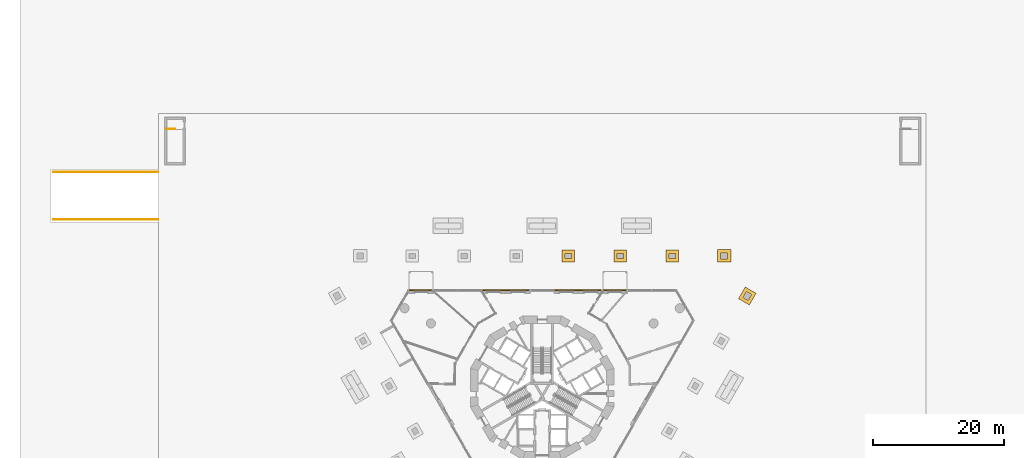
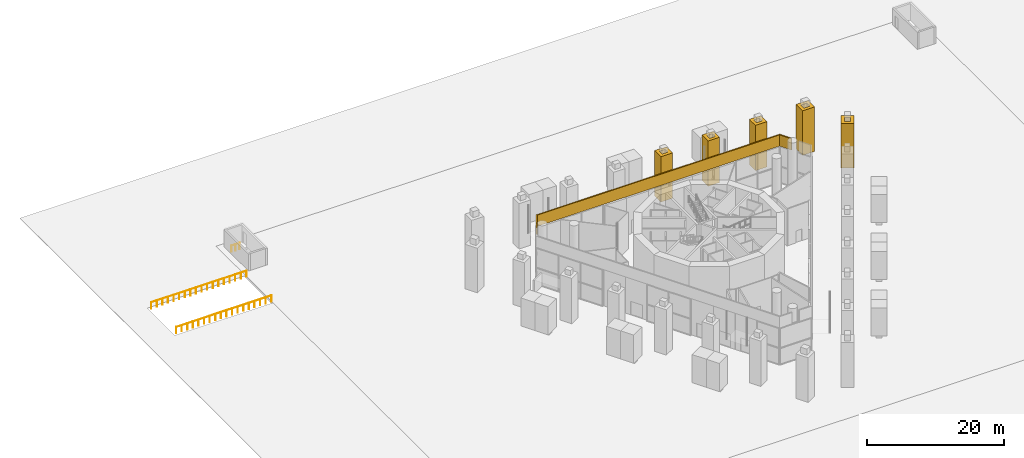
# One storey, part 24 of 26: 6 coverings, 3 railings.
"""IFC4 building model written with IfcOpenShell, lengths in metres."""

from ifc_helpers import new_model, si_unit, direction, frame, origin, origin_2d, place, context, subcontext, project, spatial, polyline, circle, outline, extrude, material, layer, layer_set, type_object, element, save


model = new_model("IFC4")

# Units and contexts
model_context = context("Model", 3, precision=1e-05, world=origin(), true_north=direction((0.0, 1.0)))
body_context = subcontext(model_context, "Body", "Model", "MODEL_VIEW")
ifc_project = project(units=[si_unit("LENGTHUNIT", "METRE"), si_unit("AREAUNIT", "SQUARE_METRE"), si_unit("VOLUMEUNIT", "CUBIC_METRE"), si_unit("PLANEANGLEUNIT", "RADIAN"), si_unit("MASSUNIT", "GRAM", prefix="KILO")], contexts=[model_context])

# Site, building, storey
site_placement = place(None, origin())
site = spatial("IfcSite", under=ifc_project, at=site_placement, CompositionType="ELEMENT")
building_placement = place(site_placement, origin())
building = spatial("IfcBuilding", under=site, at=building_placement, Name="Trine Commons Tower", CompositionType="ELEMENT")
storey_placement = place(building_placement, origin())
storey = spatial("IfcBuildingStorey", under=building, at=storey_placement, Name="L00", CompositionType="ELEMENT", Elevation=0.0)

# Coverings
ifc_material_1 = material(Name="Limestone, honed", Category="masonry")
ifc_layer_1 = layer(ifc_material_1, 0.5)
ifc_layer_set_1 = layer_set([ifc_layer_1], Name="Limestone, honed")
covering_type_1 = type_object("IfcCoveringType", Name="Limestone pier cladding 500", PredefinedType="CLADDING", material=ifc_layer_set_1)
covering_1_placement = place(storey_placement, origin())
element("IfcCovering", 1, at=covering_1_placement, inside=storey, type_object=covering_type_1, Name="Limestone stilt pier cladding 14", PredefinedType="CLADDING", context=body_context, shape_type="SweptSolid", body=[
    extrude(outline(polyline([(84.956787109375, 81.78466796875), (84.956787109375, 83.584716796875), (83.006591796875, 83.584716796875), (83.006591796875, 81.78466796875), (84.956787109375, 81.78466796875)]), holes=[polyline([(84.456787109375, 82.28466796875), (84.456787109375, 83.084716796875), (83.506591796875, 83.084716796875), (83.506591796875, 82.28466796875), (84.456787109375, 82.28466796875)])]), origin(), (0.0, 0.0, 1.0), 8.080078125),
])
covering_2_placement = place(storey_placement, origin())
element("IfcCovering", 2, at=covering_2_placement, inside=storey, type_object=covering_type_1, Name="Limestone stilt pier cladding 17", PredefinedType="CLADDING", context=body_context, shape_type="SweptSolid", body=[
    extrude(outline(polyline([(92.920166015625, 81.78466796875), (92.920166015625, 83.584716796875), (90.97021484375, 83.584716796875), (90.97021484375, 81.78466796875), (92.920166015625, 81.78466796875)]), holes=[polyline([(92.420166015625, 82.28466796875), (92.420166015625, 83.084716796875), (91.47021484375, 83.084716796875), (91.47021484375, 82.28466796875), (92.420166015625, 82.28466796875)])]), origin(), (0.0, 0.0, 1.0), 8.080078125),
])
covering_3_placement = place(storey_placement, origin())
element("IfcCovering", 3, at=covering_3_placement, inside=storey, type_object=covering_type_1, Name="Limestone stilt pier cladding 20", PredefinedType="CLADDING", context=body_context, shape_type="SweptSolid", body=[
    extrude(outline(polyline([(100.88330078125, 81.78466796875), (100.88330078125, 83.584716796875), (98.933349609375, 83.584716796875), (98.933349609375, 81.78466796875), (100.88330078125, 81.78466796875)]), holes=[polyline([(100.38330078125, 82.28466796875), (100.38330078125, 83.084716796875), (99.433349609375, 83.084716796875), (99.433349609375, 82.28466796875), (100.38330078125, 82.28466796875)])]), origin(), (0.0, 0.0, 1.0), 8.080078125),
])
covering_4_placement = place(storey_placement, origin())
element("IfcCovering", 4, at=covering_4_placement, inside=storey, type_object=covering_type_1, Name="Limestone stilt pier cladding 23", PredefinedType="CLADDING", context=body_context, shape_type="SweptSolid", body=[
    extrude(outline(polyline([(108.896728515625, 81.734619140625), (108.896728515625, 83.634521484375), (106.8466796875, 83.634521484375), (106.8466796875, 81.734619140625), (108.896728515625, 81.734619140625)]), holes=[polyline([(108.396728515625, 82.234619140625), (108.396728515625, 83.134521484375), (107.3466796875, 83.134521484375), (107.3466796875, 82.234619140625), (108.396728515625, 82.234619140625)])]), origin(), (0.0, 0.0, 1.0), 7.929931640625),
])
covering_5_placement = place(storey_placement, origin())
element("IfcCovering", 5, at=covering_5_placement, inside=storey, type_object=covering_type_1, Name="Limestone stilt pier cladding 24", PredefinedType="CLADDING", context=body_context, shape_type="SweptSolid", body=[
    extrude(outline(polyline([(112.75146484375, 76.9580078125), (111.106201171875, 77.908203125), (110.0810546875, 76.1328125), (111.7265625, 75.1826171875), (112.75146484375, 76.9580078125)]), holes=[polyline([(112.068603515625, 76.775146484375), (111.2890625, 77.22509765625), (110.76416015625, 76.315673828125), (111.54345703125, 75.86572265625), (112.068603515625, 76.775146484375)])]), origin(), (0.0, 0.0, 1.0), 7.929931640625),
])
ifc_material_2 = material(Name="Anodised aluminium cladding, bronze finish", Category="aluminium")
ifc_layer_2 = layer(ifc_material_2, 0.199951171875)
ifc_layer_set_2 = layer_set([ifc_layer_2], Name="Anodised aluminium cladding, bronze finish")
covering_type_2 = type_object("IfcCoveringType", Name="Pavilion fascia panel 200", PredefinedType="CLADDING", material=ifc_layer_set_2)
covering_6_placement = place(storey_placement, frame((0.0, 0.0, 6.60009765625)))
element("IfcCovering", 6, at=covering_6_placement, inside=storey, type_object=covering_type_2, Name="Pavilion fascia 2", PredefinedType="CLADDING", context=body_context, shape_type="SweptSolid", body=[
    extrude(outline(polyline([(100.527099609375, 77.484619140625), (59.472900390625, 77.484619140625), (58.431884765625, 75.68115234375), (58.569091796875, 75.51904296875), (59.58837890625, 77.28466796875), (100.41162109375, 77.28466796875), (101.430908203125, 75.51904296875), (101.568115234375, 75.68115234375), (100.527099609375, 77.484619140625)])), origin(), (0.0, 0.0, 1.0), 2.0),
])

# Railings
ifc_material_3 = material(Name="Structural steel ASTM A500 Gr C", Category="steel")
railing_type = type_object("IfcRailingType", Name="Steel guard 1120 mm, ASTM A500 Gr C", PredefinedType="GUARDRAIL", material=ifc_material_3)
railing_1_placement = place(storey_placement, frame((5.10009765625, 88.27001953125, 0.0)))
element("IfcRailing", 7, at=railing_1_placement, inside=storey, type_object=railing_type, Name="R1 cutting guard W", PredefinedType="GUARDRAIL", context=body_context, shape_type="SweptSolid", body=[
    extrude(circle(Radius=0.02392578125, at=origin_2d()), frame((0.0, 0.0, 1.09619140625), z_axis=(1.0, 0.0, 0.0), x_axis=(0.0, 1.0, 0.0)), (0.0, 0.0, 1.0), 16.0498046875),
    extrude(circle(Radius=0.02099609375, at=origin_2d()), origin(), (0.0, 0.0, 1.0), 1.072021484375),
    extrude(circle(Radius=0.02099609375, at=origin_2d()), frame((0.944091796875, 0.0, 0.0)), (0.0, 0.0, 1.0), 1.072021484375),
    extrude(circle(Radius=0.02099609375, at=origin_2d()), frame((1.88818359375, 0.0, 0.0)), (0.0, 0.0, 1.0), 1.072021484375),
    extrude(circle(Radius=0.02099609375, at=origin_2d()), frame((2.832275390625, 0.0, 0.0)), (0.0, 0.0, 1.0), 1.072021484375),
    extrude(circle(Radius=0.02099609375, at=origin_2d()), frame((3.7763671875, 0.0, 0.0)), (0.0, 0.0, 1.0), 1.072021484375),
    extrude(circle(Radius=0.02099609375, at=origin_2d()), frame((4.720458984375, 0.0, 0.0)), (0.0, 0.0, 1.0), 1.072021484375),
    extrude(circle(Radius=0.02099609375, at=origin_2d()), frame((5.66455078125, 0.0, 0.0)), (0.0, 0.0, 1.0), 1.072021484375),
    extrude(circle(Radius=0.02099609375, at=origin_2d()), frame((6.608642578125, 0.0, 0.0)), (0.0, 0.0, 1.0), 1.072021484375),
    extrude(circle(Radius=0.02099609375, at=origin_2d()), frame((7.552734375, 0.0, 0.0)), (0.0, 0.0, 1.0), 1.072021484375),
    extrude(circle(Radius=0.02099609375, at=origin_2d()), frame((8.4970703125, 0.0, 0.0)), (0.0, 0.0, 1.0), 1.072021484375),
    extrude(circle(Radius=0.02099609375, at=origin_2d()), frame((9.441162109375, 0.0, 0.0)), (0.0, 0.0, 1.0), 1.072021484375),
    extrude(circle(Radius=0.02099609375, at=origin_2d()), frame((10.38525390625, 0.0, 0.0)), (0.0, 0.0, 1.0), 1.072021484375),
    extrude(circle(Radius=0.02099609375, at=origin_2d()), frame((11.329345703125, 0.0, 0.0)), (0.0, 0.0, 1.0), 1.072021484375),
    extrude(circle(Radius=0.02099609375, at=origin_2d()), frame((12.2734375, 0.0, 0.0)), (0.0, 0.0, 1.0), 1.072021484375),
    extrude(circle(Radius=0.02099609375, at=origin_2d()), frame((13.217529296875, 0.0, 0.0)), (0.0, 0.0, 1.0), 1.072021484375),
    extrude(circle(Radius=0.02099609375, at=origin_2d()), frame((14.16162109375, 0.0, 0.0)), (0.0, 0.0, 1.0), 1.072021484375),
    extrude(circle(Radius=0.02099609375, at=origin_2d()), frame((15.105712890625, 0.0, 0.0)), (0.0, 0.0, 1.0), 1.072021484375),
    extrude(circle(Radius=0.02099609375, at=origin_2d()), frame((16.0498046875, 0.0, 0.0)), (0.0, 0.0, 1.0), 1.072021484375),
])
railing_2_placement = place(storey_placement, frame((5.10009765625, 95.530029296875, 0.0)))
element("IfcRailing", 8, at=railing_2_placement, inside=storey, type_object=railing_type, Name="R1 cutting guard E", PredefinedType="GUARDRAIL", context=body_context, shape_type="SweptSolid", body=[
    extrude(circle(Radius=0.02392578125, at=origin_2d()), frame((0.0, 0.0, 1.09619140625), z_axis=(1.0, 0.0, 0.0), x_axis=(0.0, 1.0, 0.0)), (0.0, 0.0, 1.0), 16.0498046875),
    extrude(circle(Radius=0.02099609375, at=origin_2d()), origin(), (0.0, 0.0, 1.0), 1.072021484375),
    extrude(circle(Radius=0.02099609375, at=origin_2d()), frame((0.944091796875, 0.0, 0.0)), (0.0, 0.0, 1.0), 1.072021484375),
    extrude(circle(Radius=0.02099609375, at=origin_2d()), frame((1.88818359375, 0.0, 0.0)), (0.0, 0.0, 1.0), 1.072021484375),
    extrude(circle(Radius=0.02099609375, at=origin_2d()), frame((2.832275390625, 0.0, 0.0)), (0.0, 0.0, 1.0), 1.072021484375),
    extrude(circle(Radius=0.02099609375, at=origin_2d()), frame((3.7763671875, 0.0, 0.0)), (0.0, 0.0, 1.0), 1.072021484375),
    extrude(circle(Radius=0.02099609375, at=origin_2d()), frame((4.720458984375, 0.0, 0.0)), (0.0, 0.0, 1.0), 1.072021484375),
    extrude(circle(Radius=0.02099609375, at=origin_2d()), frame((5.66455078125, 0.0, 0.0)), (0.0, 0.0, 1.0), 1.072021484375),
    extrude(circle(Radius=0.02099609375, at=origin_2d()), frame((6.608642578125, 0.0, 0.0)), (0.0, 0.0, 1.0), 1.072021484375),
    extrude(circle(Radius=0.02099609375, at=origin_2d()), frame((7.552734375, 0.0, 0.0)), (0.0, 0.0, 1.0), 1.072021484375),
    extrude(circle(Radius=0.02099609375, at=origin_2d()), frame((8.4970703125, 0.0, 0.0)), (0.0, 0.0, 1.0), 1.072021484375),
    extrude(circle(Radius=0.02099609375, at=origin_2d()), frame((9.441162109375, 0.0, 0.0)), (0.0, 0.0, 1.0), 1.072021484375),
    extrude(circle(Radius=0.02099609375, at=origin_2d()), frame((10.38525390625, 0.0, 0.0)), (0.0, 0.0, 1.0), 1.072021484375),
    extrude(circle(Radius=0.02099609375, at=origin_2d()), frame((11.329345703125, 0.0, 0.0)), (0.0, 0.0, 1.0), 1.072021484375),
    extrude(circle(Radius=0.02099609375, at=origin_2d()), frame((12.2734375, 0.0, 0.0)), (0.0, 0.0, 1.0), 1.072021484375),
    extrude(circle(Radius=0.02099609375, at=origin_2d()), frame((13.217529296875, 0.0, 0.0)), (0.0, 0.0, 1.0), 1.072021484375),
    extrude(circle(Radius=0.02099609375, at=origin_2d()), frame((14.16162109375, 0.0, 0.0)), (0.0, 0.0, 1.0), 1.072021484375),
    extrude(circle(Radius=0.02099609375, at=origin_2d()), frame((15.105712890625, 0.0, 0.0)), (0.0, 0.0, 1.0), 1.072021484375),
    extrude(circle(Radius=0.02099609375, at=origin_2d()), frame((16.0498046875, 0.0, 0.0)), (0.0, 0.0, 1.0), 1.072021484375),
])
railing_3_placement = place(storey_placement, frame((22.449951171875, 102.14990234375, 0.0)))
element("IfcRailing", 9, at=railing_3_placement, inside=storey, type_object=railing_type, Name="L00 STB3 top well guard 1", PredefinedType="GUARDRAIL", context=body_context, shape_type="SweptSolid", body=[
    extrude(circle(Radius=0.02392578125, at=origin_2d()), frame((0.0, 0.0, 1.09619140625), z_axis=(1.0, 0.0, 0.0), x_axis=(0.0, 1.0, 0.0)), (0.0, 0.0, 1.0), 1.35009765625),
    extrude(circle(Radius=0.02099609375, at=origin_2d()), origin(), (0.0, 0.0, 1.0), 1.072021484375),
    extrude(circle(Radius=0.02099609375, at=origin_2d()), frame((0.675048828125, 0.0, 0.0)), (0.0, 0.0, 1.0), 1.072021484375),
    extrude(circle(Radius=0.02099609375, at=origin_2d()), frame((1.35009765625, 0.0, 0.0)), (0.0, 0.0, 1.0), 1.072021484375),
])

save(model, "model.ifc")
